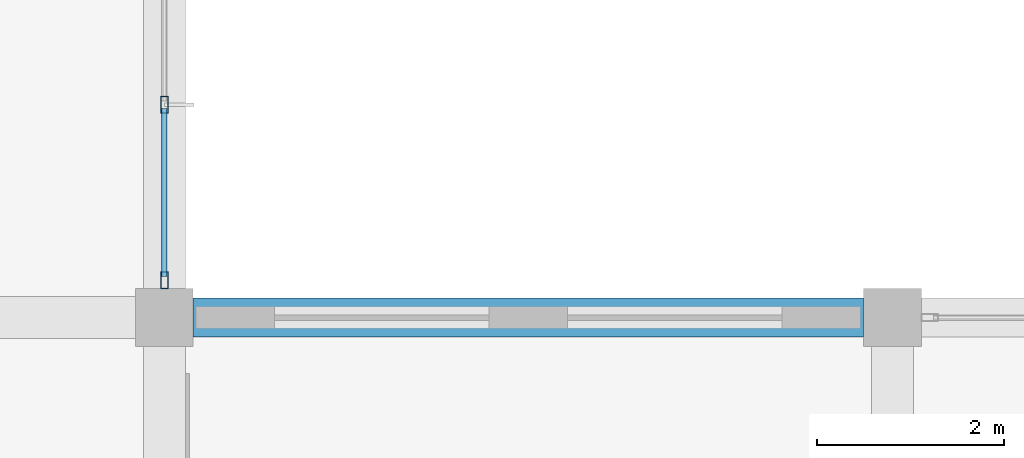
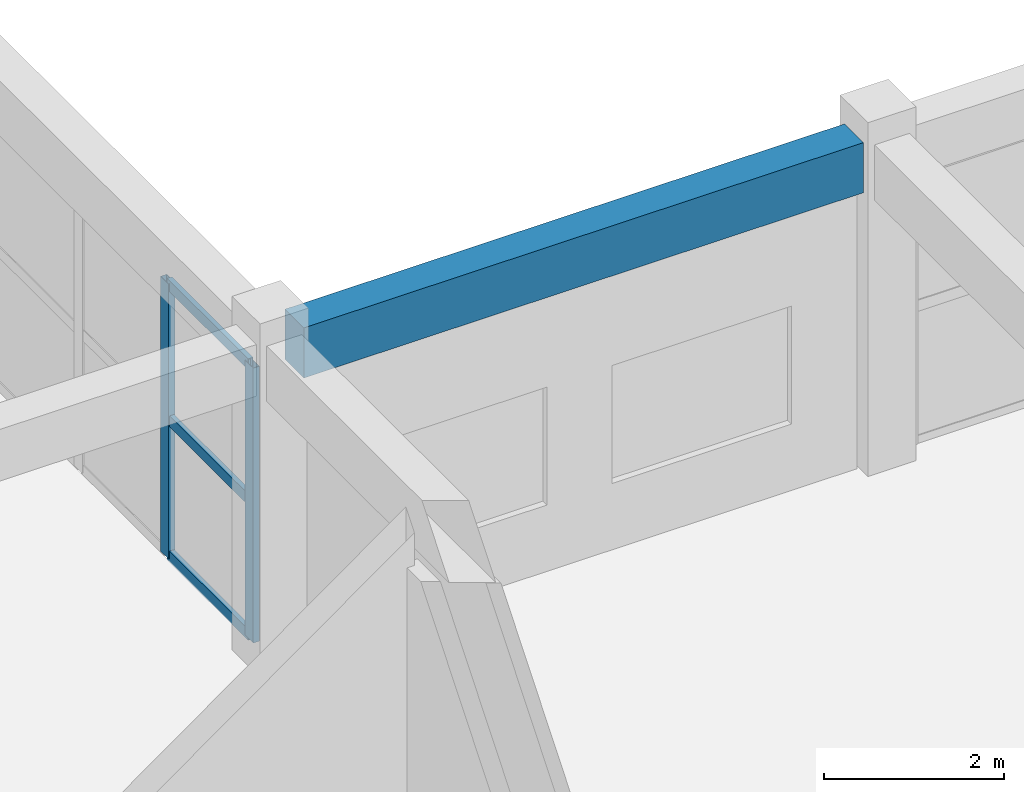
# One storey, part 102 of 167: 5 members, 1 beam, 1 element without a shape of its own.
"""IFC4 building model written with IfcOpenShell, lengths in metres."""

import ifcopenshell
import ifcopenshell.guid

model = None  # the IFC model being written
_history = None  # IfcOwnerHistory: only IFC2X3 demands one
_inside = {}  # id of a spatial element -> (the spatial element, [elements in it])
_under = {}  # id of a project, library or spatial element -> (it, [spatial elements below it])
_declared = {}  # id of a project -> (the project, [libraries it declares])
_typed = {}  # id of a type object -> (the type object, [elements of that type])
_made_of = {}  # id of a material, layer set ... -> (it, [elements and type objects made of it])


def new_model(schema):
    """Start an empty IFC model of exactly this schema.

    Asked for "IFC4X3", IfcOpenShell would pick the latest addendum, in which some entities
    have other attributes; the version numbers below select the first issue.
    IFC2X3 requires an IfcOwnerHistory on every rooted entity: one is made here for all.
    """
    global model, _history
    if schema == "IFC4X3":
        model = ifcopenshell.file(schema_version=(4, 3, 0, 0))
    else:
        model = ifcopenshell.file(schema=schema)
    _inside.clear()
    _under.clear()
    _declared.clear()
    _typed.clear()
    _made_of.clear()
    _history = None
    if model.schema == "IFC2X3":
        org = make("IfcOrganization", Name="unknown")
        user = make(
            "IfcPersonAndOrganization",
            ThePerson=make("IfcPerson", FamilyName="unknown"),
            TheOrganization=org,
        )
        app = make(
            "IfcApplication",
            ApplicationDeveloper=org,
            Version="unknown",
            ApplicationFullName="unknown",
            ApplicationIdentifier="unknown",
        )
        _history = make(
            "IfcOwnerHistory",
            OwningUser=user,
            OwningApplication=app,
            ChangeAction="ADDED",
            CreationDate=0,
        )
    return model


def make(cls, **values):
    """One entity of the class cls with the attributes given. An attribute that is None is left unset."""
    return model.create_entity(
        cls, **{name: value for name, value in values.items() if value is not None}
    )


def rooted(cls, **values):
    """An entity with a GlobalId (a new one), such as an element, a storey or a relation."""
    return make(cls, GlobalId=ifcopenshell.guid.new(), OwnerHistory=_history, **values)


def si_unit(unit_type, name, prefix=None):
    """IfcSIUnit, for example si_unit("LENGTHUNIT", "METRE", prefix="MILLI")."""
    return make("IfcSIUnit", UnitType=unit_type, Prefix=prefix, Name=name)


def assignment(units):
    """IfcUnitAssignment: the units of a project."""
    return None if units is None else make("IfcUnitAssignment", Units=units)


def point(xyz):
    """IfcCartesianPoint."""
    return None if xyz is None else make("IfcCartesianPoint", Coordinates=xyz)


def direction(xyz):
    """IfcDirection."""
    return None if xyz is None else make("IfcDirection", DirectionRatios=xyz)


def frame(location, z_axis=None, x_axis=None):
    """IfcAxis2Placement3D, a coordinate frame: its origin and axes. An axis left out is left unset."""
    return make(
        "IfcAxis2Placement3D",
        Location=point(location),
        Axis=direction(z_axis),
        RefDirection=direction(x_axis),
    )


def frame_2d(location, x_axis=None):
    """IfcAxis2Placement2D, a coordinate frame in the plane: its origin and x axis."""
    return make(
        "IfcAxis2Placement2D", Location=point(location), RefDirection=direction(x_axis)
    )


def origin():
    """The frame at (0, 0, 0) with its axes left unset."""
    return frame((0.0, 0.0, 0.0))


def origin_2d():
    """The frame at (0, 0) in the plane with its x axis left unset."""
    return frame_2d((0.0, 0.0))


def place(relative_to, where):
    """IfcLocalPlacement: puts the frame where relative to a parent placement (None: the world)."""
    return make(
        "IfcLocalPlacement", PlacementRelTo=relative_to, RelativePlacement=where
    )


def context(
    kind, dimensions, precision=None, world=None, true_north=None, identifier=None
):
    """IfcGeometricRepresentationContext, for example the 3D "Model" context."""
    return make(
        "IfcGeometricRepresentationContext",
        ContextIdentifier=identifier,
        ContextType=kind,
        CoordinateSpaceDimension=dimensions,
        Precision=precision,
        WorldCoordinateSystem=world,
        TrueNorth=true_north,
    )


def subcontext(parent, identifier, kind, view, scale=None):
    """IfcGeometricRepresentationSubContext, for example "Body" below "Model"."""
    return make(
        "IfcGeometricRepresentationSubContext",
        ContextIdentifier=identifier,
        ContextType=kind,
        ParentContext=parent,
        TargetScale=scale,
        TargetView=view,
    )


def project(units=None, contexts=None):
    """IfcProject with its units and contexts."""
    return rooted(
        "IfcProject",
        Name="project",
        RepresentationContexts=contexts,
        UnitsInContext=assignment(units),
    )


def spatial(cls, under=None, at=None, **own):
    """A site, building, storey or space (cls), placed at a placement, below another one or the project."""
    s = rooted(cls, ObjectPlacement=at, **own)
    if under is not None:
        _under.setdefault(under.id(), (under, []))[1].append(s)
    return s


def profile(cls, at=None, kind="AREA", **sizes):
    """A parametric profile (cls). Its sizes go by their IFC names, for example OverallWidth=200.0."""
    return make(cls, ProfileType=kind, Position=at, **sizes)


def rectangle(**sizes):
    """IfcRectangleProfileDef."""
    return profile("IfcRectangleProfileDef", **sizes)


def hollow_rectangle(**sizes):
    """IfcRectangleHollowProfileDef."""
    return profile("IfcRectangleHollowProfileDef", **sizes)


def extrude(swept, where, along, depth):
    """IfcExtrudedAreaSolid: the profile swept, set in the frame where, extruded along a direction by depth."""
    return make(
        "IfcExtrudedAreaSolid",
        SweptArea=swept,
        Position=where,
        ExtrudedDirection=direction(along),
        Depth=depth,
    )


def shape(context_of_items, identifier, shape_type, items):
    """IfcShapeRepresentation: the items that make up one representation, for example the "Body"."""
    return make(
        "IfcShapeRepresentation",
        ContextOfItems=context_of_items,
        RepresentationIdentifier=identifier,
        RepresentationType=shape_type,
        Items=items,
    )


def material(Name=None, Category=None):
    """IfcMaterial."""
    return make("IfcMaterial", Name=Name, Category=Category)


def layer(
    of_material, thickness, ventilated=None, Name=None, Category=None, Priority=None
):
    """IfcMaterialLayer: one layer of a wall or slab, of a material (None: an air gap)."""
    return make(
        "IfcMaterialLayer",
        Material=of_material,
        LayerThickness=thickness,
        IsVentilated=ventilated,
        Name=Name,
        Category=Category,
        Priority=Priority,
    )


def layer_set(layers, Name=None):
    """IfcMaterialLayerSet."""
    return make("IfcMaterialLayerSet", MaterialLayers=layers, LayerSetName=Name)


def material_profile(
    of_material, cross_section, Name=None, Category=None, Priority=None
):
    """IfcMaterialProfile: a cross section and its material."""
    return make(
        "IfcMaterialProfile",
        Name=Name,
        Material=of_material,
        Profile=cross_section,
        Priority=Priority,
        Category=Category,
    )


def profile_set(profiles, Name=None, composite=None):
    """IfcMaterialProfileSet."""
    return make(
        "IfcMaterialProfileSet",
        Name=Name,
        MaterialProfiles=profiles,
        CompositeProfile=composite,
    )


def made_of(thing, what):
    """Note that an element or type object is made of a material, layer set ...; save() writes the relation."""
    if what is not None:
        _made_of.setdefault(what.id(), (what, []))[1].append(thing)
    return thing


def type_object(cls, material=None, **own):
    """A type object (cls), such as IfcWallType, which elements share."""
    return made_of(rooted(cls, **own), material)


def element(
    cls,
    number,
    at=None,
    inside=None,
    cuts=None,
    type_object=None,
    material=None,
    context=None,
    identifier="Body",
    shape_type=None,
    held_by="IfcProductDefinitionShape",
    body=None,
    shapes=None,
    **own,
):
    """One element of the class cls, such as IfcWall. Its Tag is "e" and its number.

    at: its placement. inside: the storey or other place that contains it. cuts: it is an
    opening in that element (IfcRelVoidsElement). A single representation is given by context,
    identifier, shape_type and body (its items); several are given by shapes. held_by: the class
    of the entity that holds the representations. save() writes the other relations.
    """
    e = rooted(cls, Tag="e%d" % number, ObjectPlacement=at, **own)
    if body is not None:
        shapes = [shape(context, identifier, shape_type, body)]
    if shapes is not None:
        e.Representation = make(held_by, Representations=shapes)
    if inside is not None:
        _inside.setdefault(inside.id(), (inside, []))[1].append(e)
    if cuts is not None:
        rooted(
            "IfcRelVoidsElement", RelatingBuildingElement=cuts, RelatedOpeningElement=e
        )
    if type_object is not None:
        _typed.setdefault(type_object.id(), (type_object, []))[1].append(e)
    return made_of(e, material)


def aggregate(whole, parts):
    """IfcRelAggregates: a whole, such as a stair, and the parts it consists of."""
    return rooted("IfcRelAggregates", RelatingObject=whole, RelatedObjects=parts)


def save(model, path):
    """Write the relations noted so far, then the file.

    IfcRelAggregates (storeys below a building ...), IfcRelContainedInSpatialStructure (elements
    in a storey), IfcRelDefinesByType, IfcRelAssociatesMaterial and IfcRelDeclares: one each for
    every whole, place, type object, material and project.
    """
    for whole, parts in _under.values():
        aggregate(whole, parts)
    for where, things in _inside.values():
        rooted(
            "IfcRelContainedInSpatialStructure",
            RelatedElements=things,
            RelatingStructure=where,
        )
    for kind, things in _typed.values():
        rooted("IfcRelDefinesByType", RelatedObjects=things, RelatingType=kind)
    for what, things in _made_of.values():
        rooted("IfcRelAssociatesMaterial", RelatedObjects=things, RelatingMaterial=what)
    for by, libraries in _declared.values():
        rooted("IfcRelDeclares", RelatingContext=by, RelatedDefinitions=libraries)
    model.write(path)


model = new_model("IFC4")

# Units and contexts
model_context = context("Model", 3, precision=1e-05, world=origin(), true_north=direction((0.0, 1.0)))
body_context = subcontext(model_context, "Body", "Model", "MODEL_VIEW")
ifc_project = project(units=[si_unit("LENGTHUNIT", "METRE"), si_unit("AREAUNIT", "SQUARE_METRE"), si_unit("VOLUMEUNIT", "CUBIC_METRE"), si_unit("PLANEANGLEUNIT", "RADIAN"), si_unit("MASSUNIT", "GRAM", prefix="KILO")], contexts=[model_context])

# Site, building, storey
site_placement = place(None, origin())
site = spatial("IfcSite", under=ifc_project, at=site_placement, CompositionType="ELEMENT")
building_placement = place(site_placement, origin())
building = spatial("IfcBuilding", under=site, at=building_placement, Name="Zizhar Promenade General Hospital", CompositionType="ELEMENT")
storey_placement = place(building_placement, frame((0.0, 0.0, 9.60009765625)))
storey = spatial("IfcBuildingStorey", under=building, at=storey_placement, Name="L02", CompositionType="ELEMENT", Elevation=9.60009765625)

# Beam
ifc_material_1 = material(Name="Concrete C35/45", Category="concrete")
ifc_material_profile_1 = material_profile(ifc_material_1, rectangle(XDim=0.419921875, YDim=0.679931640625, at=origin_2d()))
ifc_profile_set_1 = profile_set([ifc_material_profile_1], Name="Concrete C35/45")
beam_type = type_object("IfcBeamType", Name="BM-RC-420x680", PredefinedType="JOIST", material=ifc_profile_set_1)
beam_placement = place(storey_placement, frame((132.909912109375, 109.199951171875, 4.1298828125), z_axis=(1.0, 0.0, 0.0), x_axis=(0.0, 1.0, 0.0)))
element("IfcBeam", 1, at=beam_placement, inside=storey, type_object=beam_type, Name="Grid Beam X L02 (17-13)", PredefinedType="JOIST", context=body_context, shape_type="SweptSolid", body=[
    extrude(rectangle(XDim=0.419921875, YDim=0.679931640625, at=origin_2d()), origin(), (0.0, 0.0, 1.0), 7.18017578125),
])

# Curtain wall, members
ifc_material_2 = material(Name="Anodised aluminium 6063-T6 and low-E glass", Category="aluminium")
ifc_layer = layer(ifc_material_2, 0.159912109375)
ifc_layer_set = layer_set([ifc_layer], Name="Anodised aluminium 6063-T6 and low-E glass")
curtain_wall_type = type_object("IfcCurtainWallType", Name="CW-DT-MOD1", PredefinedType="NOTDEFINED", material=ifc_layer_set)
curtain_wall_placement = place(storey_placement, origin())
curtain_wall = element("IfcCurtainWall", 2, at=curtain_wall_placement, inside=storey, type_object=curtain_wall_type, Name="Surgical East Glazed Curtain Wall L02-13", PredefinedType="NOTDEFINED")
ifc_material_3 = material(Name="Anodised aluminium 6063-T6", Category="aluminium")
ifc_material_profile_2 = material_profile(ifc_material_3, hollow_rectangle(XDim=0.080078125, YDim=0.179931640625, WallThickness=0.0048828125, at=origin_2d()))
ifc_profile_set_2 = profile_set([ifc_material_profile_2], Name="Anodised aluminium 6063-T6")
member_type_1 = type_object("IfcMemberType", Name="CWM-ALU-180x80", PredefinedType="MULLION", material=ifc_profile_set_2)
member_1_placement = place(storey_placement, frame((132.60009765625, 111.47998046875, 0.0), z_axis=(0.0, 0.0, 1.0), x_axis=(1.0, 0.0, 0.0)))
member_1 = element("IfcMember", 3, at=member_1_placement, type_object=member_type_1, Name="CW-07 mullion 4", PredefinedType="MULLION", context=body_context, shape_type="SweptSolid", body=[
    extrude(hollow_rectangle(XDim=0.080078125, YDim=0.179931640625, WallThickness=0.0048828125, at=origin_2d()), origin(), (0.0, 0.0, 1.0), 3.72998046875),
])
member_2_placement = place(storey_placement, frame((132.60009765625, 109.60009765625, 0.0), z_axis=(0.0, 0.0, 1.0), x_axis=(1.0, 0.0, 0.0)))
member_2 = element("IfcMember", 4, at=member_2_placement, type_object=member_type_1, Name="CW-07 mullion 5", PredefinedType="MULLION", context=body_context, shape_type="SweptSolid", body=[
    extrude(hollow_rectangle(XDim=0.080078125, YDim=0.179931640625, WallThickness=0.0048828125, at=origin_2d()), origin(), (0.0, 0.0, 1.0), 3.72998046875),
])
ifc_material_4 = material(Name="Anodised aluminium 6063-T6", Category="aluminium")
ifc_material_profile_3 = material_profile(ifc_material_4, hollow_rectangle(XDim=0.06005859375, YDim=0.14990234375, WallThickness=0.00390625, at=origin_2d()))
ifc_profile_set_3 = profile_set([ifc_material_profile_3], Name="Anodised aluminium 6063-T6")
member_type_2 = type_object("IfcMemberType", Name="CWT-ALU-150x60", PredefinedType="USERDEFINED", material=ifc_profile_set_3)
member_3_placement = place(storey_placement, frame((132.60009765625, 111.43994140625, 0.02978515625), z_axis=(0.0, -1.0, 0.0), x_axis=(1.0, 0.0, 0.0)))
member_3 = element("IfcMember", 5, at=member_3_placement, type_object=member_type_2, Name="CW-07 transom 4.1", ObjectType="TRANSOM", PredefinedType="USERDEFINED", context=body_context, shape_type="SweptSolid", body=[
    extrude(hollow_rectangle(XDim=0.06005859375, YDim=0.14990234375, WallThickness=0.00390625, at=origin_2d()), origin(), (0.0, 0.0, 1.0), 1.800048828125),
])
member_4_placement = place(storey_placement, frame((132.60009765625, 111.43994140625, 1.864990234375), z_axis=(0.0, -1.0, 0.0), x_axis=(1.0, 0.0, 0.0)))
member_4 = element("IfcMember", 6, at=member_4_placement, type_object=member_type_2, Name="CW-07 transom 4.2", ObjectType="TRANSOM", PredefinedType="USERDEFINED", context=body_context, shape_type="SweptSolid", body=[
    extrude(hollow_rectangle(XDim=0.06005859375, YDim=0.14990234375, WallThickness=0.00390625, at=origin_2d()), origin(), (0.0, 0.0, 1.0), 1.800048828125),
])
member_5_placement = place(storey_placement, frame((132.60009765625, 111.43994140625, 3.699951171875), z_axis=(0.0, -1.0, 0.0), x_axis=(1.0, 0.0, 0.0)))
member_5 = element("IfcMember", 7, at=member_5_placement, type_object=member_type_2, Name="CW-07 transom 4.3", ObjectType="TRANSOM", PredefinedType="USERDEFINED", context=body_context, shape_type="SweptSolid", body=[
    extrude(hollow_rectangle(XDim=0.06005859375, YDim=0.14990234375, WallThickness=0.00390625, at=origin_2d()), origin(), (0.0, 0.0, 1.0), 1.800048828125),
])
aggregate(curtain_wall, [member_1, member_2, member_3, member_4, member_5])

save(model, "model.ifc")
